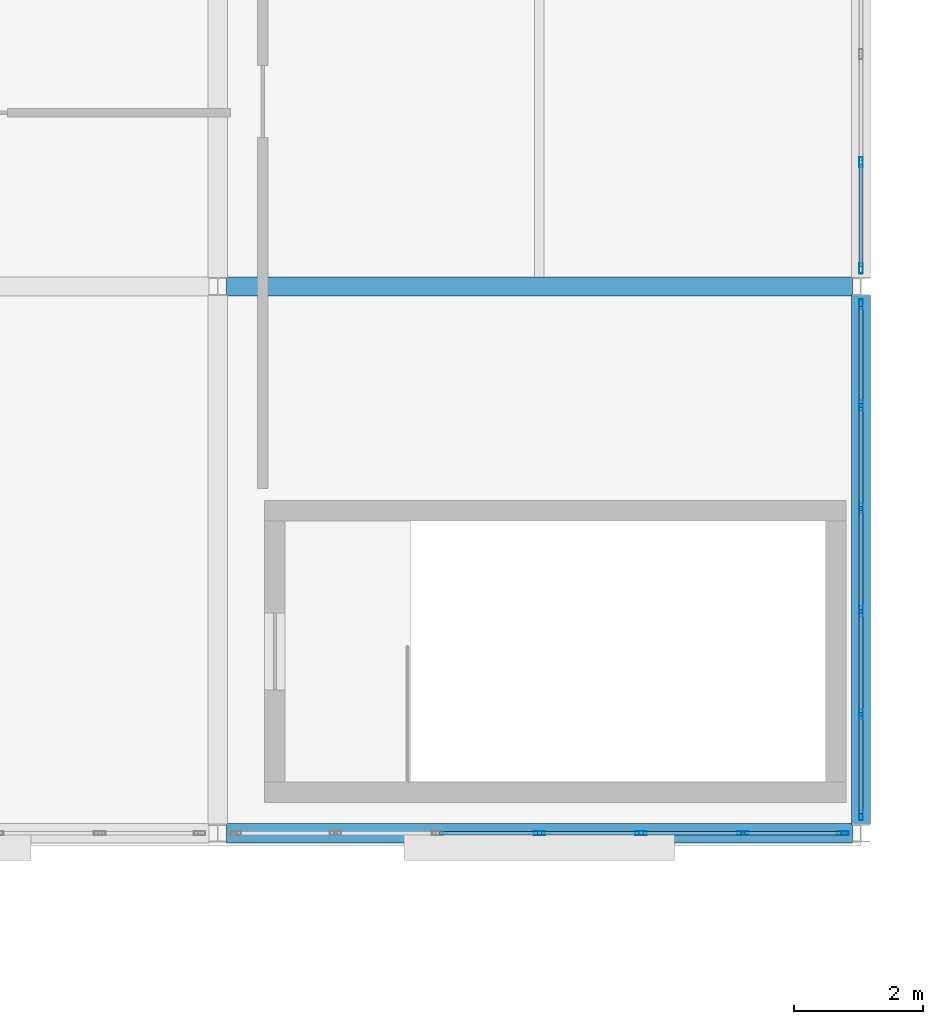
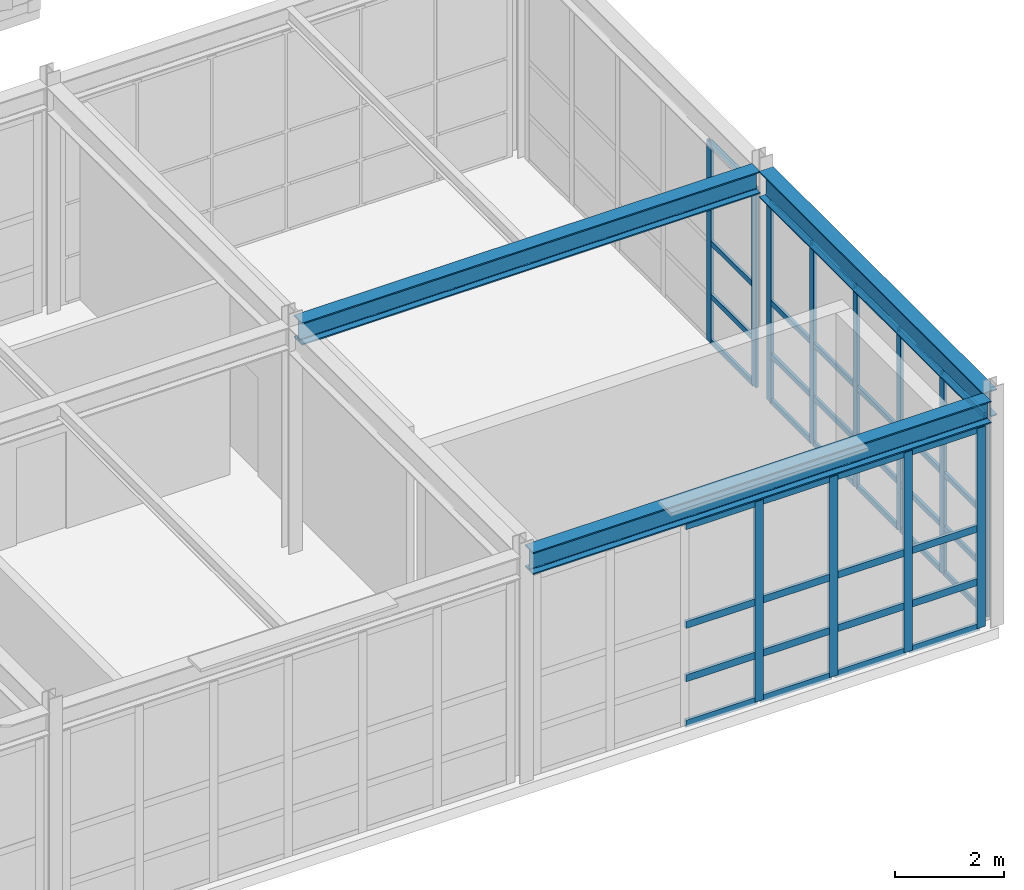
# One storey, part 151 of 239: 52 members, 3 beams, 3 elements without a shape of their own.
"""IFC4 building model written with IfcOpenShell, lengths in metres."""

from ifc_helpers import new_model, si_unit, direction, frame, origin, origin_2d, place, context, subcontext, project, spatial, hollow_rectangle, i_section, extrude, material, material_profile, profile_set, type_object, element, aggregate, save


model = new_model("IFC4")

# Units and contexts
model_context = context("Model", 3, precision=1e-05, world=origin(), true_north=direction((0.0, 1.0)))
body_context = subcontext(model_context, "Body", "Model", "MODEL_VIEW")
ifc_project = project(units=[si_unit("LENGTHUNIT", "METRE"), si_unit("AREAUNIT", "SQUARE_METRE"), si_unit("VOLUMEUNIT", "CUBIC_METRE"), si_unit("PLANEANGLEUNIT", "RADIAN"), si_unit("MASSUNIT", "GRAM", prefix="KILO")], contexts=[model_context])

# Site, building, storey
site_placement = place(None, origin())
site = spatial("IfcSite", under=ifc_project, at=site_placement, CompositionType="ELEMENT")
building_placement = place(site_placement, origin())
building = spatial("IfcBuilding", under=site, at=building_placement, Name="Kaldris Quays Convention Centre", CompositionType="ELEMENT")
storey_placement = place(building_placement, frame((0.0, 0.0, 11.39990234375)))
storey = spatial("IfcBuildingStorey", under=building, at=storey_placement, Name="L02", CompositionType="ELEMENT", Elevation=11.39990234375)

# Curtain wall, members
ifc_material_1 = material(Name="Anodized aluminium AW-6060 and triple glazing", Category="aluminium")
curtain_wall_type = type_object("IfcCurtainWallType", Name="UNITISED CURTAIN WALL CW02", PredefinedType="NOTDEFINED", material=ifc_material_1)
curtain_wall_1_placement = place(storey_placement, origin())
curtain_wall_1 = element("IfcCurtainWall", 1, at=curtain_wall_1_placement, inside=storey, type_object=curtain_wall_type, Name="L02 Unitised Curtain Wall CW02 210", PredefinedType="NOTDEFINED")
ifc_material_2 = material(Name="Anodized aluminium AW-6060", Category="aluminium")
ifc_material_profile_1 = material_profile(ifc_material_2, hollow_rectangle(XDim=0.06005859375, YDim=0.159912109375, WallThickness=0.00390625, at=origin_2d()), Name="RHS 160x60x4")
ifc_profile_set_1 = profile_set([ifc_material_profile_1], Name="Anodized aluminium AW-6060")
member_type_1 = type_object("IfcMemberType", Name="CURTAIN MULLION CWM1", PredefinedType="MULLION", material=ifc_profile_set_1)
member_1_placement = place(storey_placement, frame((204.0, 20.280029296875, 0.0), z_axis=(0.0, 0.0, 1.0), x_axis=(-1.0, 0.0, 0.0)))
member_1 = element("IfcMember", 2, at=member_1_placement, type_object=member_type_1, Name="CW02 mullion 1", PredefinedType="MULLION", context=body_context, shape_type="SweptSolid", body=[
    extrude(hollow_rectangle(XDim=0.06005859375, YDim=0.159912109375, WallThickness=0.00390625, at=origin_2d()), origin(), (0.0, 0.0, 1.0), 4.498046875),
])
member_2_placement = place(storey_placement, frame((204.0, 21.85009765625, 0.0), z_axis=(0.0, 0.0, 1.0), x_axis=(-1.0, 0.0, 0.0)))
member_2 = element("IfcMember", 3, at=member_2_placement, type_object=member_type_1, Name="CW02 mullion 2", PredefinedType="MULLION", context=body_context, shape_type="SweptSolid", body=[
    extrude(hollow_rectangle(XDim=0.06005859375, YDim=0.159912109375, WallThickness=0.00390625, at=origin_2d()), origin(), (0.0, 0.0, 1.0), 4.498046875),
])
member_3_placement = place(storey_placement, frame((204.0, 23.449951171875, 0.0), z_axis=(0.0, 0.0, 1.0), x_axis=(-1.0, 0.0, 0.0)))
member_3 = element("IfcMember", 4, at=member_3_placement, type_object=member_type_1, Name="CW02 mullion 3", PredefinedType="MULLION", context=body_context, shape_type="SweptSolid", body=[
    extrude(hollow_rectangle(XDim=0.06005859375, YDim=0.159912109375, WallThickness=0.00390625, at=origin_2d()), origin(), (0.0, 0.0, 1.0), 4.498046875),
])
member_4_placement = place(storey_placement, frame((204.0, 25.050048828125, 0.0), z_axis=(0.0, 0.0, 1.0), x_axis=(-1.0, 0.0, 0.0)))
member_4 = element("IfcMember", 5, at=member_4_placement, type_object=member_type_1, Name="CW02 mullion 4", PredefinedType="MULLION", context=body_context, shape_type="SweptSolid", body=[
    extrude(hollow_rectangle(XDim=0.06005859375, YDim=0.159912109375, WallThickness=0.00390625, at=origin_2d()), origin(), (0.0, 0.0, 1.0), 4.498046875),
])
member_5_placement = place(storey_placement, frame((204.0, 26.64990234375, 0.0), z_axis=(0.0, 0.0, 1.0), x_axis=(-1.0, 0.0, 0.0)))
member_5 = element("IfcMember", 6, at=member_5_placement, type_object=member_type_1, Name="CW02 mullion 5", PredefinedType="MULLION", context=body_context, shape_type="SweptSolid", body=[
    extrude(hollow_rectangle(XDim=0.06005859375, YDim=0.159912109375, WallThickness=0.00390625, at=origin_2d()), origin(), (0.0, 0.0, 1.0), 4.498046875),
])
member_6_placement = place(storey_placement, frame((204.0, 28.219970703125, 0.0), z_axis=(0.0, 0.0, 1.0), x_axis=(-1.0, 0.0, 0.0)))
member_6 = element("IfcMember", 7, at=member_6_placement, type_object=member_type_1, Name="CW02 mullion 6", PredefinedType="MULLION", context=body_context, shape_type="SweptSolid", body=[
    extrude(hollow_rectangle(XDim=0.06005859375, YDim=0.159912109375, WallThickness=0.00390625, at=origin_2d()), origin(), (0.0, 0.0, 1.0), 4.498046875),
])

curtain_wall_2_placement = place(storey_placement, origin())
curtain_wall_2 = element("IfcCurtainWall", 8, at=curtain_wall_2_placement, inside=storey, type_object=curtain_wall_type, Name="L02 Unitised Curtain Wall CW02 212", PredefinedType="NOTDEFINED")
member_7_placement = place(storey_placement, frame((204.0, 28.780029296875, 0.0), z_axis=(0.0, 0.0, 1.0), x_axis=(-1.0, 0.0, 0.0)))
member_7 = element("IfcMember", 9, at=member_7_placement, type_object=member_type_1, Name="CW02 mullion 1", PredefinedType="MULLION", context=body_context, shape_type="SweptSolid", body=[
    extrude(hollow_rectangle(XDim=0.06005859375, YDim=0.159912109375, WallThickness=0.00390625, at=origin_2d()), origin(), (0.0, 0.0, 1.0), 4.498046875),
])
member_8_placement = place(storey_placement, frame((204.0, 30.429931640625, 0.0), z_axis=(0.0, 0.0, 1.0), x_axis=(-1.0, 0.0, 0.0)))
member_8 = element("IfcMember", 10, at=member_8_placement, type_object=member_type_1, Name="CW02 mullion 2", PredefinedType="MULLION", context=body_context, shape_type="SweptSolid", body=[
    extrude(hollow_rectangle(XDim=0.06005859375, YDim=0.159912109375, WallThickness=0.00390625, at=origin_2d()), origin(), (0.0, 0.0, 1.0), 4.498046875),
])

curtain_wall_3_placement = place(storey_placement, origin())
curtain_wall_3 = element("IfcCurtainWall", 11, at=curtain_wall_3_placement, inside=storey, type_object=curtain_wall_type, Name="L02 Unitised Curtain Wall CW02 207", PredefinedType="NOTDEFINED")
ifc_material_profile_2 = material_profile(ifc_material_2, hollow_rectangle(XDim=0.06005859375, YDim=0.179931640625, WallThickness=0.0048828125, at=origin_2d()), Name="RHS 180x60x5")
ifc_profile_set_2 = profile_set([ifc_material_profile_2], Name="Anodized aluminium AW-6060")
member_type_2 = type_object("IfcMemberType", Name="CURTAIN MULLION CWM2", PredefinedType="MULLION", material=ifc_profile_set_2)
member_9_placement = place(storey_placement, frame((199.0, 20.0, 0.0), z_axis=(0.0, 0.0, 1.0), x_axis=(0.0, 1.0, 0.0)))
member_9 = element("IfcMember", 12, at=member_9_placement, type_object=member_type_2, Name="CW02 mullion 4", PredefinedType="MULLION", context=body_context, shape_type="SweptSolid", body=[
    extrude(hollow_rectangle(XDim=0.06005859375, YDim=0.179931640625, WallThickness=0.0048828125, at=origin_2d()), origin(), (0.0, 0.0, 1.0), 4.498046875),
])
member_10_placement = place(storey_placement, frame((200.583251953125, 20.0, 0.0), z_axis=(0.0, 0.0, 1.0), x_axis=(0.0, 1.0, 0.0)))
member_10 = element("IfcMember", 13, at=member_10_placement, type_object=member_type_2, Name="CW02 mullion 5", PredefinedType="MULLION", context=body_context, shape_type="SweptSolid", body=[
    extrude(hollow_rectangle(XDim=0.06005859375, YDim=0.179931640625, WallThickness=0.0048828125, at=origin_2d()), origin(), (0.0, 0.0, 1.0), 4.498046875),
])
member_11_placement = place(storey_placement, frame((202.166748046875, 20.0, 0.0), z_axis=(0.0, 0.0, 1.0), x_axis=(0.0, 1.0, 0.0)))
member_11 = element("IfcMember", 14, at=member_11_placement, type_object=member_type_2, Name="CW02 mullion 6", PredefinedType="MULLION", context=body_context, shape_type="SweptSolid", body=[
    extrude(hollow_rectangle(XDim=0.06005859375, YDim=0.179931640625, WallThickness=0.0048828125, at=origin_2d()), origin(), (0.0, 0.0, 1.0), 4.498046875),
])
member_12_placement = place(storey_placement, frame((203.719970703125, 20.0, 0.0), z_axis=(0.0, 0.0, 1.0), x_axis=(0.0, 1.0, 0.0)))
member_12 = element("IfcMember", 15, at=member_12_placement, type_object=member_type_2, Name="CW02 mullion 7", PredefinedType="MULLION", context=body_context, shape_type="SweptSolid", body=[
    extrude(hollow_rectangle(XDim=0.06005859375, YDim=0.179931640625, WallThickness=0.0048828125, at=origin_2d()), origin(), (0.0, 0.0, 1.0), 4.498046875),
])

# Member
ifc_material_profile_3 = material_profile(ifc_material_2, hollow_rectangle(XDim=0.06005859375, YDim=0.1201171875, WallThickness=0.00390625, at=origin_2d()), Name="RHS 120x60x4")
ifc_profile_set_3 = profile_set([ifc_material_profile_3], Name="Anodized aluminium AW-6060")
member_type_3 = type_object("IfcMemberType", Name="CURTAIN TRANSOM CWT1", PredefinedType="USERDEFINED", material=ifc_profile_set_3)
member_13_placement = place(storey_placement, frame((204.0, 20.31005859375, 0.030029296875), z_axis=(0.0, 1.0, 0.0), x_axis=(-1.0, 0.0, 0.0)))
member_13 = element("IfcMember", 16, at=member_13_placement, type_object=member_type_3, Name="CW02 transom 1.1", ObjectType="TRANSOM", PredefinedType="USERDEFINED", context=body_context, shape_type="SweptSolid", body=[
    extrude(hollow_rectangle(XDim=0.06005859375, YDim=0.1201171875, WallThickness=0.00390625, at=origin_2d()), origin(), (0.0, 0.0, 1.0), 1.510009765625),
])

member_14_placement = place(storey_placement, frame((204.0, 20.31005859375, 1.050048828125), z_axis=(0.0, 1.0, 0.0), x_axis=(-1.0, 0.0, 0.0)))
member_14 = element("IfcMember", 17, at=member_14_placement, type_object=member_type_3, Name="CW02 transom 1.2", ObjectType="TRANSOM", PredefinedType="USERDEFINED", context=body_context, shape_type="SweptSolid", body=[
    extrude(hollow_rectangle(XDim=0.06005859375, YDim=0.1201171875, WallThickness=0.00390625, at=origin_2d()), origin(), (0.0, 0.0, 1.0), 1.510009765625),
])

member_15_placement = place(storey_placement, frame((204.0, 20.31005859375, 2.2490234375), z_axis=(0.0, 1.0, 0.0), x_axis=(-1.0, 0.0, 0.0)))
member_15 = element("IfcMember", 18, at=member_15_placement, type_object=member_type_3, Name="CW02 transom 1.3", ObjectType="TRANSOM", PredefinedType="USERDEFINED", context=body_context, shape_type="SweptSolid", body=[
    extrude(hollow_rectangle(XDim=0.06005859375, YDim=0.1201171875, WallThickness=0.00390625, at=origin_2d()), origin(), (0.0, 0.0, 1.0), 1.510009765625),
])

member_16_placement = place(storey_placement, frame((204.0, 20.31005859375, 4.468017578125), z_axis=(0.0, 1.0, 0.0), x_axis=(-1.0, 0.0, 0.0)))
member_16 = element("IfcMember", 19, at=member_16_placement, type_object=member_type_3, Name="CW02 transom 1.4", ObjectType="TRANSOM", PredefinedType="USERDEFINED", context=body_context, shape_type="SweptSolid", body=[
    extrude(hollow_rectangle(XDim=0.06005859375, YDim=0.1201171875, WallThickness=0.00390625, at=origin_2d()), origin(), (0.0, 0.0, 1.0), 1.510009765625),
])

member_17_placement = place(storey_placement, frame((204.0, 21.8798828125, 0.030029296875), z_axis=(0.0, 1.0, 0.0), x_axis=(-1.0, 0.0, 0.0)))
member_17 = element("IfcMember", 20, at=member_17_placement, type_object=member_type_3, Name="CW02 transom 2.1", ObjectType="TRANSOM", PredefinedType="USERDEFINED", context=body_context, shape_type="SweptSolid", body=[
    extrude(hollow_rectangle(XDim=0.06005859375, YDim=0.1201171875, WallThickness=0.00390625, at=origin_2d()), origin(), (0.0, 0.0, 1.0), 1.5400390625),
])

member_18_placement = place(storey_placement, frame((204.0, 21.8798828125, 1.050048828125), z_axis=(0.0, 1.0, 0.0), x_axis=(-1.0, 0.0, 0.0)))
member_18 = element("IfcMember", 21, at=member_18_placement, type_object=member_type_3, Name="CW02 transom 2.2", ObjectType="TRANSOM", PredefinedType="USERDEFINED", context=body_context, shape_type="SweptSolid", body=[
    extrude(hollow_rectangle(XDim=0.06005859375, YDim=0.1201171875, WallThickness=0.00390625, at=origin_2d()), origin(), (0.0, 0.0, 1.0), 1.5400390625),
])

member_19_placement = place(storey_placement, frame((204.0, 21.8798828125, 2.2490234375), z_axis=(0.0, 1.0, 0.0), x_axis=(-1.0, 0.0, 0.0)))
member_19 = element("IfcMember", 22, at=member_19_placement, type_object=member_type_3, Name="CW02 transom 2.3", ObjectType="TRANSOM", PredefinedType="USERDEFINED", context=body_context, shape_type="SweptSolid", body=[
    extrude(hollow_rectangle(XDim=0.06005859375, YDim=0.1201171875, WallThickness=0.00390625, at=origin_2d()), origin(), (0.0, 0.0, 1.0), 1.5400390625),
])

member_20_placement = place(storey_placement, frame((204.0, 21.8798828125, 4.468017578125), z_axis=(0.0, 1.0, 0.0), x_axis=(-1.0, 0.0, 0.0)))
member_20 = element("IfcMember", 23, at=member_20_placement, type_object=member_type_3, Name="CW02 transom 2.4", ObjectType="TRANSOM", PredefinedType="USERDEFINED", context=body_context, shape_type="SweptSolid", body=[
    extrude(hollow_rectangle(XDim=0.06005859375, YDim=0.1201171875, WallThickness=0.00390625, at=origin_2d()), origin(), (0.0, 0.0, 1.0), 1.5400390625),
])

member_21_placement = place(storey_placement, frame((204.0, 23.47998046875, 0.030029296875), z_axis=(0.0, 1.0, 0.0), x_axis=(-1.0, 0.0, 0.0)))
member_21 = element("IfcMember", 24, at=member_21_placement, type_object=member_type_3, Name="CW02 transom 3.1", ObjectType="TRANSOM", PredefinedType="USERDEFINED", context=body_context, shape_type="SweptSolid", body=[
    extrude(hollow_rectangle(XDim=0.06005859375, YDim=0.1201171875, WallThickness=0.00390625, at=origin_2d()), origin(), (0.0, 0.0, 1.0), 1.5400390625),
])

member_22_placement = place(storey_placement, frame((204.0, 23.47998046875, 1.050048828125), z_axis=(0.0, 1.0, 0.0), x_axis=(-1.0, 0.0, 0.0)))
member_22 = element("IfcMember", 25, at=member_22_placement, type_object=member_type_3, Name="CW02 transom 3.2", ObjectType="TRANSOM", PredefinedType="USERDEFINED", context=body_context, shape_type="SweptSolid", body=[
    extrude(hollow_rectangle(XDim=0.06005859375, YDim=0.1201171875, WallThickness=0.00390625, at=origin_2d()), origin(), (0.0, 0.0, 1.0), 1.5400390625),
])

member_23_placement = place(storey_placement, frame((204.0, 23.47998046875, 2.2490234375), z_axis=(0.0, 1.0, 0.0), x_axis=(-1.0, 0.0, 0.0)))
member_23 = element("IfcMember", 26, at=member_23_placement, type_object=member_type_3, Name="CW02 transom 3.3", ObjectType="TRANSOM", PredefinedType="USERDEFINED", context=body_context, shape_type="SweptSolid", body=[
    extrude(hollow_rectangle(XDim=0.06005859375, YDim=0.1201171875, WallThickness=0.00390625, at=origin_2d()), origin(), (0.0, 0.0, 1.0), 1.5400390625),
])

member_24_placement = place(storey_placement, frame((204.0, 23.47998046875, 4.468017578125), z_axis=(0.0, 1.0, 0.0), x_axis=(-1.0, 0.0, 0.0)))
member_24 = element("IfcMember", 27, at=member_24_placement, type_object=member_type_3, Name="CW02 transom 3.4", ObjectType="TRANSOM", PredefinedType="USERDEFINED", context=body_context, shape_type="SweptSolid", body=[
    extrude(hollow_rectangle(XDim=0.06005859375, YDim=0.1201171875, WallThickness=0.00390625, at=origin_2d()), origin(), (0.0, 0.0, 1.0), 1.5400390625),
])

member_25_placement = place(storey_placement, frame((204.0, 25.080078125, 0.030029296875), z_axis=(0.0, 1.0, 0.0), x_axis=(-1.0, 0.0, 0.0)))
member_25 = element("IfcMember", 28, at=member_25_placement, type_object=member_type_3, Name="CW02 transom 4.1", ObjectType="TRANSOM", PredefinedType="USERDEFINED", context=body_context, shape_type="SweptSolid", body=[
    extrude(hollow_rectangle(XDim=0.06005859375, YDim=0.1201171875, WallThickness=0.00390625, at=origin_2d()), origin(), (0.0, 0.0, 1.0), 1.5400390625),
])

member_26_placement = place(storey_placement, frame((204.0, 25.080078125, 1.050048828125), z_axis=(0.0, 1.0, 0.0), x_axis=(-1.0, 0.0, 0.0)))
member_26 = element("IfcMember", 29, at=member_26_placement, type_object=member_type_3, Name="CW02 transom 4.2", ObjectType="TRANSOM", PredefinedType="USERDEFINED", context=body_context, shape_type="SweptSolid", body=[
    extrude(hollow_rectangle(XDim=0.06005859375, YDim=0.1201171875, WallThickness=0.00390625, at=origin_2d()), origin(), (0.0, 0.0, 1.0), 1.5400390625),
])

member_27_placement = place(storey_placement, frame((204.0, 25.080078125, 2.2490234375), z_axis=(0.0, 1.0, 0.0), x_axis=(-1.0, 0.0, 0.0)))
member_27 = element("IfcMember", 30, at=member_27_placement, type_object=member_type_3, Name="CW02 transom 4.3", ObjectType="TRANSOM", PredefinedType="USERDEFINED", context=body_context, shape_type="SweptSolid", body=[
    extrude(hollow_rectangle(XDim=0.06005859375, YDim=0.1201171875, WallThickness=0.00390625, at=origin_2d()), origin(), (0.0, 0.0, 1.0), 1.5400390625),
])

member_28_placement = place(storey_placement, frame((204.0, 25.080078125, 4.468017578125), z_axis=(0.0, 1.0, 0.0), x_axis=(-1.0, 0.0, 0.0)))
member_28 = element("IfcMember", 31, at=member_28_placement, type_object=member_type_3, Name="CW02 transom 4.4", ObjectType="TRANSOM", PredefinedType="USERDEFINED", context=body_context, shape_type="SweptSolid", body=[
    extrude(hollow_rectangle(XDim=0.06005859375, YDim=0.1201171875, WallThickness=0.00390625, at=origin_2d()), origin(), (0.0, 0.0, 1.0), 1.5400390625),
])

member_29_placement = place(storey_placement, frame((204.0, 26.679931640625, 0.030029296875), z_axis=(0.0, 1.0, 0.0), x_axis=(-1.0, 0.0, 0.0)))
member_29 = element("IfcMember", 32, at=member_29_placement, type_object=member_type_3, Name="CW02 transom 5.1", ObjectType="TRANSOM", PredefinedType="USERDEFINED", context=body_context, shape_type="SweptSolid", body=[
    extrude(hollow_rectangle(XDim=0.06005859375, YDim=0.1201171875, WallThickness=0.00390625, at=origin_2d()), origin(), (0.0, 0.0, 1.0), 1.510009765625),
])

member_30_placement = place(storey_placement, frame((204.0, 26.679931640625, 1.050048828125), z_axis=(0.0, 1.0, 0.0), x_axis=(-1.0, 0.0, 0.0)))
member_30 = element("IfcMember", 33, at=member_30_placement, type_object=member_type_3, Name="CW02 transom 5.2", ObjectType="TRANSOM", PredefinedType="USERDEFINED", context=body_context, shape_type="SweptSolid", body=[
    extrude(hollow_rectangle(XDim=0.06005859375, YDim=0.1201171875, WallThickness=0.00390625, at=origin_2d()), origin(), (0.0, 0.0, 1.0), 1.510009765625),
])

member_31_placement = place(storey_placement, frame((204.0, 26.679931640625, 2.2490234375), z_axis=(0.0, 1.0, 0.0), x_axis=(-1.0, 0.0, 0.0)))
member_31 = element("IfcMember", 34, at=member_31_placement, type_object=member_type_3, Name="CW02 transom 5.3", ObjectType="TRANSOM", PredefinedType="USERDEFINED", context=body_context, shape_type="SweptSolid", body=[
    extrude(hollow_rectangle(XDim=0.06005859375, YDim=0.1201171875, WallThickness=0.00390625, at=origin_2d()), origin(), (0.0, 0.0, 1.0), 1.510009765625),
])

member_32_placement = place(storey_placement, frame((204.0, 26.679931640625, 4.468017578125), z_axis=(0.0, 1.0, 0.0), x_axis=(-1.0, 0.0, 0.0)))
member_32 = element("IfcMember", 35, at=member_32_placement, type_object=member_type_3, Name="CW02 transom 5.4", ObjectType="TRANSOM", PredefinedType="USERDEFINED", context=body_context, shape_type="SweptSolid", body=[
    extrude(hollow_rectangle(XDim=0.06005859375, YDim=0.1201171875, WallThickness=0.00390625, at=origin_2d()), origin(), (0.0, 0.0, 1.0), 1.510009765625),
])

aggregate(curtain_wall_1, [member_1, member_2, member_3, member_4, member_5, member_6, member_13, member_14, member_15, member_16, member_17, member_18, member_19, member_20, member_21, member_22, member_23, member_24, member_25, member_26, member_27, member_28, member_29, member_30, member_31, member_32])

member_33_placement = place(storey_placement, frame((204.0, 28.81005859375, 0.030029296875), z_axis=(0.0, 1.0, 0.0), x_axis=(-1.0, 0.0, 0.0)))
member_33 = element("IfcMember", 36, at=member_33_placement, type_object=member_type_3, Name="CW02 transom 1.1", ObjectType="TRANSOM", PredefinedType="USERDEFINED", context=body_context, shape_type="SweptSolid", body=[
    extrude(hollow_rectangle(XDim=0.06005859375, YDim=0.1201171875, WallThickness=0.00390625, at=origin_2d()), origin(), (0.0, 0.0, 1.0), 1.58984375),
])

member_34_placement = place(storey_placement, frame((204.0, 28.81005859375, 1.050048828125), z_axis=(0.0, 1.0, 0.0), x_axis=(-1.0, 0.0, 0.0)))
member_34 = element("IfcMember", 37, at=member_34_placement, type_object=member_type_3, Name="CW02 transom 1.2", ObjectType="TRANSOM", PredefinedType="USERDEFINED", context=body_context, shape_type="SweptSolid", body=[
    extrude(hollow_rectangle(XDim=0.06005859375, YDim=0.1201171875, WallThickness=0.00390625, at=origin_2d()), origin(), (0.0, 0.0, 1.0), 1.58984375),
])

member_35_placement = place(storey_placement, frame((204.0, 28.81005859375, 2.2490234375), z_axis=(0.0, 1.0, 0.0), x_axis=(-1.0, 0.0, 0.0)))
member_35 = element("IfcMember", 38, at=member_35_placement, type_object=member_type_3, Name="CW02 transom 1.3", ObjectType="TRANSOM", PredefinedType="USERDEFINED", context=body_context, shape_type="SweptSolid", body=[
    extrude(hollow_rectangle(XDim=0.06005859375, YDim=0.1201171875, WallThickness=0.00390625, at=origin_2d()), origin(), (0.0, 0.0, 1.0), 1.58984375),
])

member_36_placement = place(storey_placement, frame((204.0, 28.81005859375, 4.468017578125), z_axis=(0.0, 1.0, 0.0), x_axis=(-1.0, 0.0, 0.0)))
member_36 = element("IfcMember", 39, at=member_36_placement, type_object=member_type_3, Name="CW02 transom 1.4", ObjectType="TRANSOM", PredefinedType="USERDEFINED", context=body_context, shape_type="SweptSolid", body=[
    extrude(hollow_rectangle(XDim=0.06005859375, YDim=0.1201171875, WallThickness=0.00390625, at=origin_2d()), origin(), (0.0, 0.0, 1.0), 1.58984375),
])

aggregate(curtain_wall_2, [member_7, member_8, member_33, member_34, member_35, member_36])

ifc_material_profile_4 = material_profile(ifc_material_2, hollow_rectangle(XDim=0.06005859375, YDim=0.159912109375, WallThickness=0.00390625, at=origin_2d()), Name="RHS 160x60x4")
ifc_profile_set_4 = profile_set([ifc_material_profile_4], Name="Anodized aluminium AW-6060")
member_type_4 = type_object("IfcMemberType", Name="CURTAIN TRANSOM CWT2", PredefinedType="USERDEFINED", material=ifc_profile_set_4)
member_37_placement = place(storey_placement, frame((197.44677734375, 20.0, 0.030029296875), z_axis=(1.0, 0.0, 0.0), x_axis=(0.0, 1.0, 0.0)))
member_37 = element("IfcMember", 40, at=member_37_placement, type_object=member_type_4, Name="CW02 transom 3.1", ObjectType="TRANSOM", PredefinedType="USERDEFINED", context=body_context, shape_type="SweptSolid", body=[
    extrude(hollow_rectangle(XDim=0.06005859375, YDim=0.159912109375, WallThickness=0.00390625, at=origin_2d()), origin(), (0.0, 0.0, 1.0), 1.523193359375),
])

member_38_placement = place(storey_placement, frame((197.44677734375, 20.0, 1.050048828125), z_axis=(1.0, 0.0, 0.0), x_axis=(0.0, 1.0, 0.0)))
member_38 = element("IfcMember", 41, at=member_38_placement, type_object=member_type_4, Name="CW02 transom 3.2", ObjectType="TRANSOM", PredefinedType="USERDEFINED", context=body_context, shape_type="SweptSolid", body=[
    extrude(hollow_rectangle(XDim=0.06005859375, YDim=0.159912109375, WallThickness=0.00390625, at=origin_2d()), origin(), (0.0, 0.0, 1.0), 1.523193359375),
])

member_39_placement = place(storey_placement, frame((197.44677734375, 20.0, 2.2490234375), z_axis=(1.0, 0.0, 0.0), x_axis=(0.0, 1.0, 0.0)))
member_39 = element("IfcMember", 42, at=member_39_placement, type_object=member_type_4, Name="CW02 transom 3.3", ObjectType="TRANSOM", PredefinedType="USERDEFINED", context=body_context, shape_type="SweptSolid", body=[
    extrude(hollow_rectangle(XDim=0.06005859375, YDim=0.159912109375, WallThickness=0.00390625, at=origin_2d()), origin(), (0.0, 0.0, 1.0), 1.523193359375),
])

member_40_placement = place(storey_placement, frame((197.44677734375, 20.0, 4.468017578125), z_axis=(1.0, 0.0, 0.0), x_axis=(0.0, 1.0, 0.0)))
member_40 = element("IfcMember", 43, at=member_40_placement, type_object=member_type_4, Name="CW02 transom 3.4", ObjectType="TRANSOM", PredefinedType="USERDEFINED", context=body_context, shape_type="SweptSolid", body=[
    extrude(hollow_rectangle(XDim=0.06005859375, YDim=0.159912109375, WallThickness=0.00390625, at=origin_2d()), origin(), (0.0, 0.0, 1.0), 1.523193359375),
])

member_41_placement = place(storey_placement, frame((199.030029296875, 20.0, 0.030029296875), z_axis=(1.0, 0.0, 0.0), x_axis=(0.0, 1.0, 0.0)))
member_41 = element("IfcMember", 44, at=member_41_placement, type_object=member_type_4, Name="CW02 transom 4.1", ObjectType="TRANSOM", PredefinedType="USERDEFINED", context=body_context, shape_type="SweptSolid", body=[
    extrude(hollow_rectangle(XDim=0.06005859375, YDim=0.159912109375, WallThickness=0.00390625, at=origin_2d()), origin(), (0.0, 0.0, 1.0), 1.523193359375),
])

member_42_placement = place(storey_placement, frame((199.030029296875, 20.0, 1.050048828125), z_axis=(1.0, 0.0, 0.0), x_axis=(0.0, 1.0, 0.0)))
member_42 = element("IfcMember", 45, at=member_42_placement, type_object=member_type_4, Name="CW02 transom 4.2", ObjectType="TRANSOM", PredefinedType="USERDEFINED", context=body_context, shape_type="SweptSolid", body=[
    extrude(hollow_rectangle(XDim=0.06005859375, YDim=0.159912109375, WallThickness=0.00390625, at=origin_2d()), origin(), (0.0, 0.0, 1.0), 1.523193359375),
])

member_43_placement = place(storey_placement, frame((199.030029296875, 20.0, 2.2490234375), z_axis=(1.0, 0.0, 0.0), x_axis=(0.0, 1.0, 0.0)))
member_43 = element("IfcMember", 46, at=member_43_placement, type_object=member_type_4, Name="CW02 transom 4.3", ObjectType="TRANSOM", PredefinedType="USERDEFINED", context=body_context, shape_type="SweptSolid", body=[
    extrude(hollow_rectangle(XDim=0.06005859375, YDim=0.159912109375, WallThickness=0.00390625, at=origin_2d()), origin(), (0.0, 0.0, 1.0), 1.523193359375),
])

member_44_placement = place(storey_placement, frame((199.030029296875, 20.0, 4.468017578125), z_axis=(1.0, 0.0, 0.0), x_axis=(0.0, 1.0, 0.0)))
member_44 = element("IfcMember", 47, at=member_44_placement, type_object=member_type_4, Name="CW02 transom 4.4", ObjectType="TRANSOM", PredefinedType="USERDEFINED", context=body_context, shape_type="SweptSolid", body=[
    extrude(hollow_rectangle(XDim=0.06005859375, YDim=0.159912109375, WallThickness=0.00390625, at=origin_2d()), origin(), (0.0, 0.0, 1.0), 1.523193359375),
])

member_45_placement = place(storey_placement, frame((200.61328125, 20.0, 0.030029296875), z_axis=(1.0, 0.0, 0.0), x_axis=(0.0, 1.0, 0.0)))
member_45 = element("IfcMember", 48, at=member_45_placement, type_object=member_type_4, Name="CW02 transom 5.1", ObjectType="TRANSOM", PredefinedType="USERDEFINED", context=body_context, shape_type="SweptSolid", body=[
    extrude(hollow_rectangle(XDim=0.06005859375, YDim=0.159912109375, WallThickness=0.00390625, at=origin_2d()), origin(), (0.0, 0.0, 1.0), 1.5234375),
])

member_46_placement = place(storey_placement, frame((200.61328125, 20.0, 1.050048828125), z_axis=(1.0, 0.0, 0.0), x_axis=(0.0, 1.0, 0.0)))
member_46 = element("IfcMember", 49, at=member_46_placement, type_object=member_type_4, Name="CW02 transom 5.2", ObjectType="TRANSOM", PredefinedType="USERDEFINED", context=body_context, shape_type="SweptSolid", body=[
    extrude(hollow_rectangle(XDim=0.06005859375, YDim=0.159912109375, WallThickness=0.00390625, at=origin_2d()), origin(), (0.0, 0.0, 1.0), 1.5234375),
])

member_47_placement = place(storey_placement, frame((200.61328125, 20.0, 2.2490234375), z_axis=(1.0, 0.0, 0.0), x_axis=(0.0, 1.0, 0.0)))
member_47 = element("IfcMember", 50, at=member_47_placement, type_object=member_type_4, Name="CW02 transom 5.3", ObjectType="TRANSOM", PredefinedType="USERDEFINED", context=body_context, shape_type="SweptSolid", body=[
    extrude(hollow_rectangle(XDim=0.06005859375, YDim=0.159912109375, WallThickness=0.00390625, at=origin_2d()), origin(), (0.0, 0.0, 1.0), 1.5234375),
])

member_48_placement = place(storey_placement, frame((200.61328125, 20.0, 4.468017578125), z_axis=(1.0, 0.0, 0.0), x_axis=(0.0, 1.0, 0.0)))
member_48 = element("IfcMember", 51, at=member_48_placement, type_object=member_type_4, Name="CW02 transom 5.4", ObjectType="TRANSOM", PredefinedType="USERDEFINED", context=body_context, shape_type="SweptSolid", body=[
    extrude(hollow_rectangle(XDim=0.06005859375, YDim=0.159912109375, WallThickness=0.00390625, at=origin_2d()), origin(), (0.0, 0.0, 1.0), 1.5234375),
])

member_49_placement = place(storey_placement, frame((202.19677734375, 20.0, 0.030029296875), z_axis=(1.0, 0.0, 0.0), x_axis=(0.0, 1.0, 0.0)))
member_49 = element("IfcMember", 52, at=member_49_placement, type_object=member_type_4, Name="CW02 transom 6.1", ObjectType="TRANSOM", PredefinedType="USERDEFINED", context=body_context, shape_type="SweptSolid", body=[
    extrude(hollow_rectangle(XDim=0.06005859375, YDim=0.159912109375, WallThickness=0.00390625, at=origin_2d()), origin(), (0.0, 0.0, 1.0), 1.4931640625),
])

member_50_placement = place(storey_placement, frame((202.19677734375, 20.0, 1.050048828125), z_axis=(1.0, 0.0, 0.0), x_axis=(0.0, 1.0, 0.0)))
member_50 = element("IfcMember", 53, at=member_50_placement, type_object=member_type_4, Name="CW02 transom 6.2", ObjectType="TRANSOM", PredefinedType="USERDEFINED", context=body_context, shape_type="SweptSolid", body=[
    extrude(hollow_rectangle(XDim=0.06005859375, YDim=0.159912109375, WallThickness=0.00390625, at=origin_2d()), origin(), (0.0, 0.0, 1.0), 1.4931640625),
])

member_51_placement = place(storey_placement, frame((202.19677734375, 20.0, 2.2490234375), z_axis=(1.0, 0.0, 0.0), x_axis=(0.0, 1.0, 0.0)))
member_51 = element("IfcMember", 54, at=member_51_placement, type_object=member_type_4, Name="CW02 transom 6.3", ObjectType="TRANSOM", PredefinedType="USERDEFINED", context=body_context, shape_type="SweptSolid", body=[
    extrude(hollow_rectangle(XDim=0.06005859375, YDim=0.159912109375, WallThickness=0.00390625, at=origin_2d()), origin(), (0.0, 0.0, 1.0), 1.4931640625),
])

member_52_placement = place(storey_placement, frame((202.19677734375, 20.0, 4.468017578125), z_axis=(1.0, 0.0, 0.0), x_axis=(0.0, 1.0, 0.0)))
member_52 = element("IfcMember", 55, at=member_52_placement, type_object=member_type_4, Name="CW02 transom 6.4", ObjectType="TRANSOM", PredefinedType="USERDEFINED", context=body_context, shape_type="SweptSolid", body=[
    extrude(hollow_rectangle(XDim=0.06005859375, YDim=0.159912109375, WallThickness=0.00390625, at=origin_2d()), origin(), (0.0, 0.0, 1.0), 1.4931640625),
])

aggregate(curtain_wall_3, [member_9, member_10, member_11, member_12, member_37, member_38, member_39, member_40, member_41, member_42, member_43, member_44, member_45, member_46, member_47, member_48, member_49, member_50, member_51, member_52])

# Beams
ifc_material_3 = material(Name="Steel S355J2", Category="steel")
ifc_material_profile_5 = material_profile(ifc_material_3, i_section(OverallWidth=0.300048828125, OverallDepth=0.5, WebThickness=0.014404296875, FlangeThickness=0.028076171875, FilletRadius=0.027099609375, at=origin_2d()), Name="HEB 500")
ifc_profile_set_5 = profile_set([ifc_material_profile_5], Name="Steel S355J2")
beam_type_1 = type_object("IfcBeamType", Name="STRUCTURAL BEAM BM06", PredefinedType="BEAM", material=ifc_profile_set_5)
for number, where, z_axis, x_axis, name in (
    (56, (194.134033203125, 20.0, 4.863037109375), (1.0, 0.0, 0.0), (0.0, 1.0, 0.0), "L02 Girder BM06 5"),
    (57, (194.134033203125, 28.5, 4.863037109375), (1.0, 0.0, 0.0), (0.0, 1.0, 0.0), "L02 Girder BM06 10"),
):
    element("IfcBeam", number, at=place(storey_placement, frame(where, z_axis=z_axis, x_axis=x_axis)), inside=storey, type_object=beam_type_1, Name=name, PredefinedType="BEAM", context=body_context, shape_type="SweptSolid", body=[
        extrude(i_section(OverallWidth=0.300048828125, OverallDepth=0.5, WebThickness=0.014404296875, FlangeThickness=0.028076171875, FilletRadius=0.027099609375, at=origin_2d()), origin(), (0.0, 0.0, 1.0), 9.73193359375),
    ])
ifc_material_profile_6 = material_profile(ifc_material_3, i_section(OverallWidth=0.300048828125, OverallDepth=0.590087890625, WebThickness=0.012939453125, FlangeThickness=0.02490234375, FilletRadius=0.027099609375, at=origin_2d()), Name="HEA 600")
ifc_profile_set_6 = profile_set([ifc_material_profile_6], Name="Steel S355J2")
beam_type_2 = type_object("IfcBeamType", Name="STRUCTURAL BEAM BM08", PredefinedType="BEAM", material=ifc_profile_set_6)
beam_placement = place(storey_placement, frame((204.0, 20.134033203125, 4.818115234375), z_axis=(0.0, 1.0, 0.0), x_axis=(-1.0, 0.0, 0.0)))
element("IfcBeam", 58, at=beam_placement, inside=storey, type_object=beam_type_2, Name="L02 Girder BM08 26", PredefinedType="BEAM", context=body_context, shape_type="SweptSolid", body=[
    extrude(i_section(OverallWidth=0.300048828125, OverallDepth=0.590087890625, WebThickness=0.012939453125, FlangeThickness=0.02490234375, FilletRadius=0.027099609375, at=origin_2d()), origin(), (0.0, 0.0, 1.0), 8.23193359375),
])

save(model, "model.ifc")
